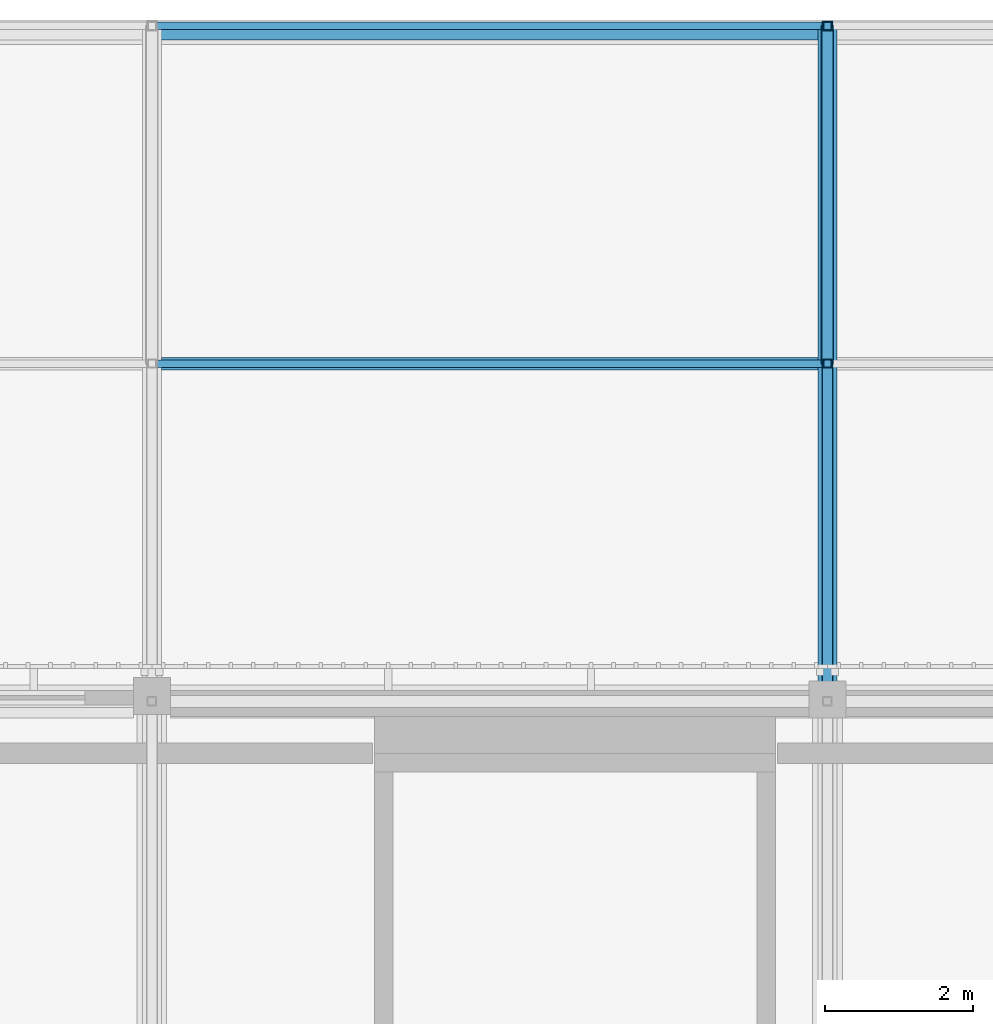
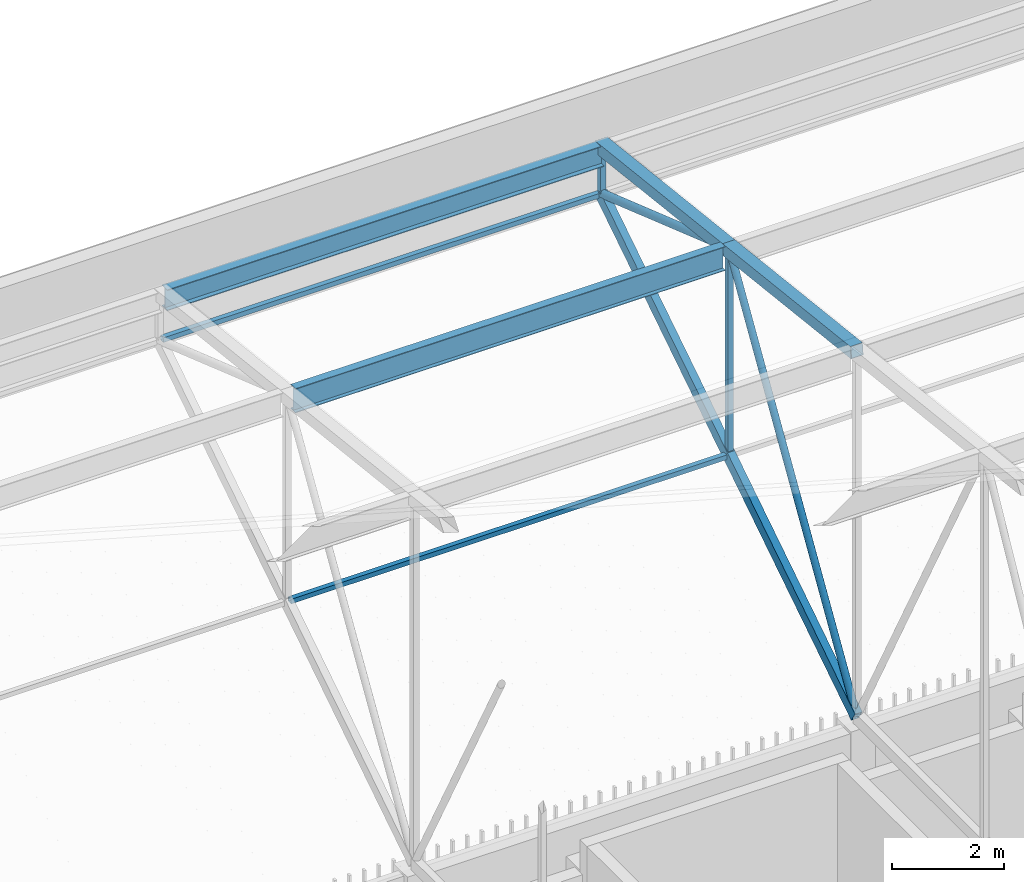
# One storey, part 326 of 500: 12 members.
"""IFC4 building model written with IfcOpenShell, lengths in metres."""

from ifc_helpers import new_model, si_unit, direction, frame, origin, origin_2d, place, context, subcontext, project, spatial, hollow_rectangle, hollow_circle, i_section, extrude, material, material_profile, profile_set, type_object, element, save


model = new_model("IFC4")

# Units and contexts
model_context = context("Model", 3, precision=1e-05, world=origin(), true_north=direction((0.0, 1.0)))
body_context = subcontext(model_context, "Body", "Model", "MODEL_VIEW")
ifc_project = project(units=[si_unit("LENGTHUNIT", "METRE"), si_unit("AREAUNIT", "SQUARE_METRE"), si_unit("VOLUMEUNIT", "CUBIC_METRE"), si_unit("PLANEANGLEUNIT", "RADIAN"), si_unit("MASSUNIT", "GRAM", prefix="KILO")], contexts=[model_context])

# Site, building, storey
site_placement = place(None, origin())
site = spatial("IfcSite", under=ifc_project, at=site_placement, CompositionType="ELEMENT")
building_placement = place(site_placement, origin())
building = spatial("IfcBuilding", under=site, at=building_placement, Name="Shirokan Park Arena", CompositionType="ELEMENT")
storey_placement = place(building_placement, frame((0.0, 0.0, 29.1201171875)))
storey = spatial("IfcBuildingStorey", under=building, at=storey_placement, Name="L06", CompositionType="ELEMENT", Elevation=29.1201171875)

# Members
ifc_material_1 = material(Name="Steel ASTM A500 Grade C", Category="steel")
ifc_material_profile_1 = material_profile(ifc_material_1, hollow_rectangle(XDim=0.152099609375, YDim=0.25390625, WallThickness=0.009521484375, at=origin_2d()), Name="HSS254X152.4X9.5")
ifc_profile_set_1 = profile_set([ifc_material_profile_1], Name="Steel ASTM A500 Grade C")
member_type_1 = type_object("IfcMemberType", Name="Bottom chord HSS254X152.4X9.5", PredefinedType="CHORD", material=ifc_profile_set_1)
for number, where, z_axis, x_axis, name in (
    (1, (118.300048828125, 109.199951171875, 4.677001953125), (0.0, 0.840971691661, 0.541079119746), (-1.0, 0.0, 0.0), "Truss T14 bottom chord 27"),
    (2, (118.300048828125, 113.75, 7.6044921875), (0.0, 0.840971691661, 0.541079119746), (-1.0, 0.0, 0.0), "Truss T14 bottom chord 28"),
):
    element("IfcMember", number, at=place(storey_placement, frame(where, z_axis=z_axis, x_axis=x_axis)), inside=storey, type_object=member_type_1, Name=name, PredefinedType="CHORD", context=body_context, shape_type="SweptSolid", body=[
        extrude(hollow_rectangle(XDim=0.152099609375, YDim=0.25390625, WallThickness=0.009521484375, at=origin_2d()), origin(), (0.0, 0.0, 1.0), 5.410400390625),
    ])
ifc_material_profile_2 = material_profile(ifc_material_1, hollow_rectangle(XDim=0.10205078125, YDim=0.10205078125, WallThickness=0.00634765625, at=origin_2d()), Name="HSS101.6X101.6X6.4")
ifc_profile_set_2 = profile_set([ifc_material_profile_2], Name="Steel ASTM A500 Grade C")
member_type_2 = type_object("IfcMemberType", Name="Eave soffit rail HSS101.6X101.6X6.4", PredefinedType="USERDEFINED", material=ifc_profile_set_2)
for number, where, z_axis, x_axis, name in (
    (3, (109.257080078125, 118.300048828125, 10.531982421875), (1.0, 0.0, 0.0), (0.0, 1.0, 0.0), "Eave soffit rail N 29 bay 13"),
    (4, (109.257080078125, 113.75, 7.6044921875), (1.0, 0.0, 0.0), (0.0, 1.0, 0.0), "Eave soffit rail N 28 bay 13"),
):
    element("IfcMember", number, at=place(storey_placement, frame(where, z_axis=z_axis, x_axis=x_axis)), inside=storey, type_object=member_type_2, Name=name, ObjectType="EAVE SOFFIT RAIL", PredefinedType="USERDEFINED", context=body_context, shape_type="SweptSolid", body=[
        extrude(hollow_rectangle(XDim=0.10205078125, YDim=0.10205078125, WallThickness=0.00634765625, at=origin_2d()), origin(), (0.0, 0.0, 1.0), 8.98583984375),
    ])
ifc_material_2 = material(Name="Steel ASTM A992", Category="steel")
ifc_material_profile_3 = material_profile(ifc_material_2, i_section(OverallWidth=0.166015625, OverallDepth=0.528076171875, WebThickness=0.009765625, FlangeThickness=0.013671875, at=origin_2d()), Name="W530X74")
ifc_profile_set_3 = profile_set([ifc_material_profile_3], Name="Steel ASTM A992")
member_type_3 = type_object("IfcMemberType", Name="Purlin W530X74", PredefinedType="PURLIN", material=ifc_profile_set_3)
member_1_placement = place(storey_placement, frame((109.326904296875, 113.75, 11.9658203125), z_axis=(1.0, 0.0, 0.0), x_axis=(0.0, 1.0, 0.0)))
element("IfcMember", 5, at=member_1_placement, inside=storey, type_object=member_type_3, Name="Purlin 28 bay 13", PredefinedType="PURLIN", context=body_context, shape_type="SweptSolid", body=[
    extrude(i_section(OverallWidth=0.166015625, OverallDepth=0.528076171875, WebThickness=0.009765625, FlangeThickness=0.013671875, at=origin_2d()), origin(), (0.0, 0.0, 1.0), 8.84619140625),
])
ifc_material_profile_4 = material_profile(ifc_material_2, i_section(OverallWidth=0.19091796875, OverallDepth=0.45703125, WebThickness=0.009033203125, FlangeThickness=0.014404296875, at=origin_2d()), Name="W460X74")
ifc_profile_set_4 = profile_set([ifc_material_profile_4], Name="Steel ASTM A992")
member_type_4 = type_object("IfcMemberType", Name="Roof edge beam W460X74", PredefinedType="USERDEFINED", material=ifc_profile_set_4)
member_2_placement = place(storey_placement, frame((109.257080078125, 118.20458984375, 11.4814453125), z_axis=(1.0, 0.0, 0.0), x_axis=(0.0, 1.0, 0.0)))
element("IfcMember", 6, at=member_2_placement, inside=storey, type_object=member_type_4, Name="Roof edge beam N 14", ObjectType="ROOF EDGE BEAM", PredefinedType="USERDEFINED", context=body_context, shape_type="SweptSolid", body=[
    extrude(i_section(OverallWidth=0.19091796875, OverallDepth=0.45703125, WebThickness=0.009033203125, FlangeThickness=0.014404296875, at=origin_2d()), origin(), (0.0, 0.0, 1.0), 8.98583984375),
])
ifc_material_profile_5 = material_profile(ifc_material_1, hollow_rectangle(XDim=0.25390625, YDim=0.25390625, WallThickness=0.009521484375, at=origin_2d()), Name="HSS254X254X9.5")
ifc_profile_set_5 = profile_set([ifc_material_profile_5], Name="Steel ASTM A500 Grade C")
member_type_5 = type_object("IfcMemberType", Name="Top chord HSS254X254X9.5", PredefinedType="CHORD", material=ifc_profile_set_5)
for number, where, z_axis, x_axis, name in (
    (7, (118.300048828125, 109.199951171875, 12.622802734375), (0.0, 0.993532328996, -0.113549598152), (-1.0, 0.0, 0.0), "Truss T14 top chord 27"),
    (8, (118.300048828125, 113.75, 12.102783203125), (0.0, 0.993532328996, -0.113549598152), (-1.0, 0.0, 0.0), "Truss T14 top chord 28"),
):
    element("IfcMember", number, at=place(storey_placement, frame(where, z_axis=z_axis, x_axis=x_axis)), inside=storey, type_object=member_type_5, Name=name, PredefinedType="CHORD", context=body_context, shape_type="SweptSolid", body=[
        extrude(hollow_rectangle(XDim=0.25390625, YDim=0.25390625, WallThickness=0.009521484375, at=origin_2d()), origin(), (0.0, 0.0, 1.0), 4.57958984375),
    ])
ifc_material_profile_6 = material_profile(ifc_material_1, hollow_circle(Radius=0.070556640625, WallThickness=0.006591796875, at=origin_2d()), Name="HSS141.3X6.6")
ifc_profile_set_6 = profile_set([ifc_material_profile_6], Name="Steel ASTM A500 Grade C")
member_type_6 = type_object("IfcMemberType", Name="Truss diagonal HSS141.3X6.6", PredefinedType="BRACE", material=ifc_profile_set_6)
member_3_placement = place(storey_placement, frame((118.300048828125, 109.199951171875, 4.677001953125), z_axis=(0.0, 0.522458847856, 0.852664501605), x_axis=(-1.0, 0.0, 0.0)))
element("IfcMember", 9, at=member_3_placement, inside=storey, type_object=member_type_6, Name="Truss T14 diagonal 27", PredefinedType="BRACE", context=body_context, shape_type="SweptSolid", body=[
    extrude(hollow_circle(Radius=0.070556640625, WallThickness=0.006591796875, at=origin_2d()), origin(), (0.0, 0.0, 1.0), 8.708984375),
])
ifc_material_profile_7 = material_profile(ifc_material_1, hollow_circle(Radius=0.083984375, WallThickness=0.009521484375, at=origin_2d()), Name="HSS168.3X9.5")
ifc_profile_set_7 = profile_set([ifc_material_profile_7], Name="Steel ASTM A500 Grade C")
member_type_7 = type_object("IfcMemberType", Name="Truss diagonal HSS168.3X9.5", PredefinedType="BRACE", material=ifc_profile_set_7)
member_4_placement = place(storey_placement, frame((118.300048828125, 113.75, 12.102783203125), z_axis=(0.0, 0.945256498603, -0.326328288459), x_axis=(-1.0, 0.0, 0.0)))
element("IfcMember", 10, at=member_4_placement, inside=storey, type_object=member_type_7, Name="Truss T14 diagonal 28", PredefinedType="BRACE", context=body_context, shape_type="SweptSolid", body=[
    extrude(hollow_circle(Radius=0.083984375, WallThickness=0.009521484375, at=origin_2d()), origin(), (0.0, 0.0, 1.0), 4.8134765625),
])
ifc_material_profile_8 = material_profile(ifc_material_1, hollow_rectangle(XDim=0.114013671875, YDim=0.114013671875, WallThickness=0.00634765625, at=origin_2d()), Name="HSS114.3X114.3X6.4")
ifc_profile_set_8 = profile_set([ifc_material_profile_8], Name="Steel ASTM A500 Grade C")
member_type_8 = type_object("IfcMemberType", Name="Truss post HSS114.3X114.3X6.4", PredefinedType="POST", material=ifc_profile_set_8)
member_5_placement = place(storey_placement, frame((118.300048828125, 113.75, 7.6044921875), z_axis=(0.0, 0.0, 1.0), x_axis=(1.0, 0.0, 0.0)))
element("IfcMember", 11, at=member_5_placement, inside=storey, type_object=member_type_8, Name="Truss T14 post 28", PredefinedType="POST", context=body_context, shape_type="SweptSolid", body=[
    extrude(hollow_rectangle(XDim=0.114013671875, YDim=0.114013671875, WallThickness=0.00634765625, at=origin_2d()), origin(), (0.0, 0.0, 1.0), 4.498291015625),
])
member_6_placement = place(storey_placement, frame((118.300048828125, 118.300048828125, 10.531982421875), z_axis=(0.0, 0.0, 1.0), x_axis=(1.0, 0.0, 0.0)))
element("IfcMember", 12, at=member_6_placement, inside=storey, type_object=member_type_8, Name="Truss T14 post 29", PredefinedType="POST", context=body_context, shape_type="SweptSolid", body=[
    extrude(hollow_rectangle(XDim=0.114013671875, YDim=0.114013671875, WallThickness=0.00634765625, at=origin_2d()), origin(), (0.0, 0.0, 1.0), 1.05078125),
])

save(model, "model.ifc")
